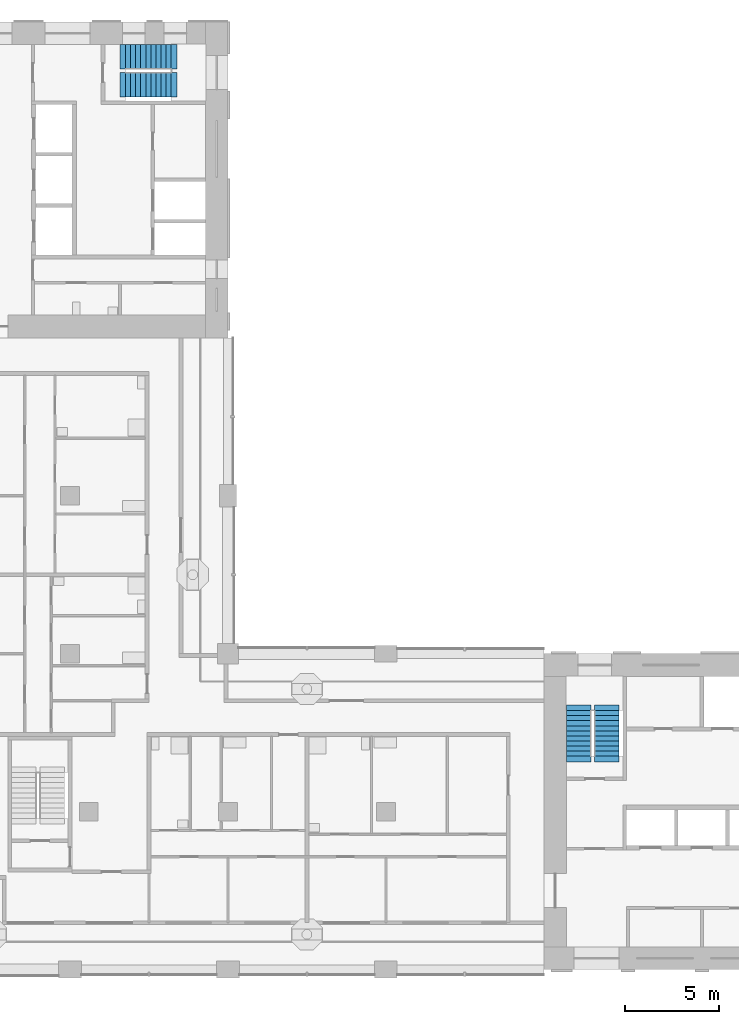
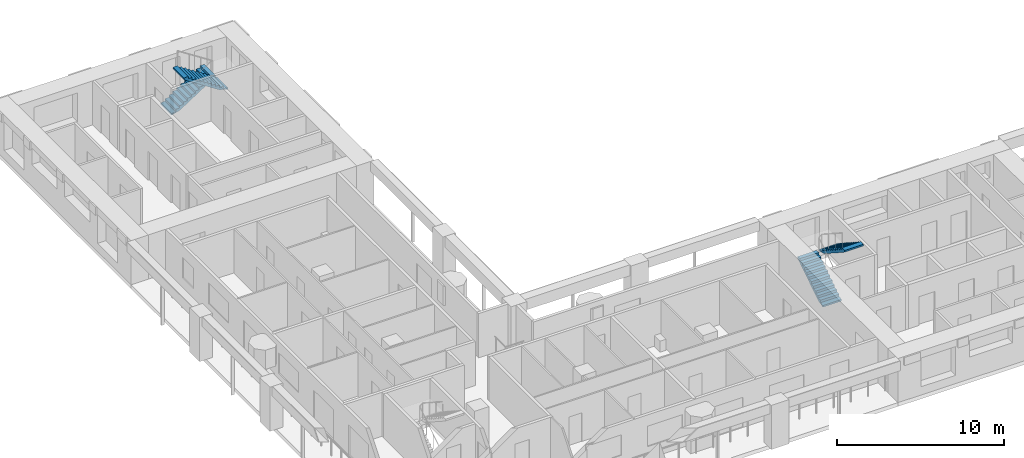
# One storey, part 7 of 13: 4 stair flights, 2 elements without a shape of their own.
"""IFC4 building model written with IfcOpenShell, lengths in metres."""

from ifc_helpers import new_model, si_unit, direction, frame, origin, place, context, subcontext, project, spatial, polyline, outline, extrude, material, type_object, element, aggregate, save


model = new_model("IFC4")

# Units and contexts
model_context = context("Model", 3, precision=1e-05, world=origin(), true_north=direction((0.0, 1.0)))
body_context = subcontext(model_context, "Body", "Model", "MODEL_VIEW")
ifc_project = project(units=[si_unit("LENGTHUNIT", "METRE"), si_unit("AREAUNIT", "SQUARE_METRE"), si_unit("VOLUMEUNIT", "CUBIC_METRE"), si_unit("PLANEANGLEUNIT", "RADIAN"), si_unit("MASSUNIT", "GRAM", prefix="KILO")], contexts=[model_context])

# Site, building, storey
site_placement = place(None, origin())
site = spatial("IfcSite", under=ifc_project, at=site_placement, CompositionType="ELEMENT")
building_placement = place(site_placement, origin())
building = spatial("IfcBuilding", under=site, at=building_placement, Name="Vermilion Gate Residences", CompositionType="ELEMENT")
storey_placement = place(building_placement, frame((0.0, 0.0, 179.199951171875)))
storey = spatial("IfcBuildingStorey", under=building, at=storey_placement, Name="L46", CompositionType="ELEMENT", Elevation=179.199951171875)

# Stair, stair flights
ifc_material_1 = material(Name="Concrete C50", Category="concrete")
stair_type = type_object("IfcStairType", Name="SPECIAL ESCAPE STAIR 1300", PredefinedType="HALF_TURN_STAIR", material=ifc_material_1)
stair_1_placement = place(storey_placement, origin())
stair_1 = element("IfcStair", 1, at=stair_1_placement, inside=storey, type_object=stair_type, Name="Special escape stair STA1-46", PredefinedType="HALF_TURN_STAIR")
ifc_material_2 = material(Name="Concrete C50", Category="concrete")
stair_flight_type = type_object("IfcStairFlightType", Name="STAIR FLIGHT 1300 RC C50", PredefinedType="STRAIGHT", material=ifc_material_2)
stair_flight_1_placement = place(storey_placement, frame((43.85009765625, 19.75, 0.0), z_axis=(0.0, 0.0, 1.0), x_axis=(0.0, 1.0, 0.0)))
stair_flight_1 = element("IfcStairFlight", 2, at=stair_flight_1_placement, type_object=stair_flight_type, Name="STA1-46 flight 1", NumberOfRisers=10, NumberOfTreads=9, PredefinedType="STRAIGHT", RiserHeight=0.175, TreadLength=0.27, context=body_context, shape_type="SweptSolid", body=[
    extrude(outline(polyline([(-0.300048828125, -0.14990234375), (-0.300048828125, -0.030029296875), (0.0, 0.0), (0.0, 0.175048828125), (0.27001953125, 0.175048828125), (0.27001953125, 0.35009765625), (0.5400390625, 0.35009765625), (0.5400390625, 0.52490234375), (0.81005859375, 0.52490234375), (0.81005859375, 0.699951171875), (1.080078125, 0.699951171875), (1.080078125, 0.875), (1.35009765625, 0.875), (1.35009765625, 1.050048828125), (1.6201171875, 1.050048828125), (1.6201171875, 1.22509765625), (1.889892578125, 1.22509765625), (1.889892578125, 1.39990234375), (2.159912109375, 1.39990234375), (2.159912109375, 1.574951171875), (2.429931640625, 1.574951171875), (2.429931640625, 1.75), (2.72998046875, 1.719970703125), (2.72998046875, 1.60009765625), (2.429931640625, 1.396484375), (0.275634765625, 0.0), (-0.300048828125, -0.14990234375)])), frame((0.0, 0.64990234375, 0.0), z_axis=(0.0, -1.0, 0.0), x_axis=(1.0, 0.0, 0.0)), (0.0, 0.0, 1.0), 1.300048828125),
])
stair_flight_2_placement = place(storey_placement, frame((45.35009765625, 22.179931640625, 1.75), z_axis=(0.0, 0.0, 1.0), x_axis=(0.0, -1.0, 0.0)))
stair_flight_2 = element("IfcStairFlight", 3, at=stair_flight_2_placement, type_object=stair_flight_type, Name="STA1-46 flight 2", NumberOfRisers=10, NumberOfTreads=9, PredefinedType="STRAIGHT", RiserHeight=0.175, TreadLength=0.27, context=body_context, shape_type="SweptSolid", body=[
    extrude(outline(polyline([(-0.300048828125, -0.14990234375), (-0.300048828125, -0.030029296875), (0.0, 0.0), (0.0, 0.175048828125), (0.27001953125, 0.175048828125), (0.27001953125, 0.35009765625), (0.5400390625, 0.35009765625), (0.5400390625, 0.52490234375), (0.81005859375, 0.52490234375), (0.81005859375, 0.699951171875), (1.080078125, 0.699951171875), (1.080078125, 0.875), (1.35009765625, 0.875), (1.35009765625, 1.050048828125), (1.6201171875, 1.050048828125), (1.6201171875, 1.22509765625), (1.889892578125, 1.22509765625), (1.889892578125, 1.39990234375), (2.159912109375, 1.39990234375), (2.159912109375, 1.574951171875), (2.429931640625, 1.574951171875), (2.429931640625, 1.75), (2.72998046875, 1.719970703125), (2.72998046875, 1.60009765625), (2.429931640625, 1.396484375), (0.275634765625, 0.0), (-0.300048828125, -0.14990234375)])), frame((0.0, 0.64990234375, 0.0), z_axis=(0.0, -1.0, 0.0), x_axis=(1.0, 0.0, 0.0)), (0.0, 0.0, 1.0), 1.300048828125),
])
aggregate(stair_1, [stair_flight_1, stair_flight_2])

stair_2_placement = place(storey_placement, origin())
stair_2 = element("IfcStair", 4, at=stair_2_placement, inside=storey, type_object=stair_type, Name="Special escape stair STB1-46", PredefinedType="HALF_TURN_STAIR")
stair_flight_3_placement = place(storey_placement, frame((19.75, 56.949951171875, 0.0), z_axis=(0.0, 0.0, 1.0), x_axis=(1.0, 0.0, 0.0)))
stair_flight_3 = element("IfcStairFlight", 5, at=stair_flight_3_placement, type_object=stair_flight_type, Name="STB1-46 flight 1", NumberOfRisers=10, NumberOfTreads=9, PredefinedType="STRAIGHT", RiserHeight=0.175, TreadLength=0.27, context=body_context, shape_type="SweptSolid", body=[
    extrude(outline(polyline([(-0.300048828125, -0.14990234375), (-0.300048828125, -0.030029296875), (0.0, 0.0), (0.0, 0.175048828125), (0.27001953125, 0.175048828125), (0.27001953125, 0.35009765625), (0.5400390625, 0.35009765625), (0.5400390625, 0.52490234375), (0.81005859375, 0.52490234375), (0.81005859375, 0.699951171875), (1.080078125, 0.699951171875), (1.080078125, 0.875), (1.35009765625, 0.875), (1.35009765625, 1.050048828125), (1.6201171875, 1.050048828125), (1.6201171875, 1.22509765625), (1.889892578125, 1.22509765625), (1.889892578125, 1.39990234375), (2.159912109375, 1.39990234375), (2.159912109375, 1.574951171875), (2.429931640625, 1.574951171875), (2.429931640625, 1.75), (2.72998046875, 1.719970703125), (2.72998046875, 1.60009765625), (2.429931640625, 1.396484375), (0.275634765625, 0.0), (-0.300048828125, -0.14990234375)])), frame((0.0, 0.64990234375, 0.0), z_axis=(0.0, -1.0, 0.0), x_axis=(1.0, 0.0, 0.0)), (0.0, 0.0, 1.0), 1.300048828125),
])
stair_flight_4_placement = place(storey_placement, frame((22.179931640625, 55.449951171875, 1.75), z_axis=(0.0, 0.0, 1.0), x_axis=(-1.0, 0.0, 0.0)))
stair_flight_4 = element("IfcStairFlight", 6, at=stair_flight_4_placement, type_object=stair_flight_type, Name="STB1-46 flight 2", NumberOfRisers=10, NumberOfTreads=9, PredefinedType="STRAIGHT", RiserHeight=0.175, TreadLength=0.27, context=body_context, shape_type="SweptSolid", body=[
    extrude(outline(polyline([(-0.300048828125, -0.14990234375), (-0.300048828125, -0.030029296875), (0.0, 0.0), (0.0, 0.175048828125), (0.27001953125, 0.175048828125), (0.27001953125, 0.35009765625), (0.5400390625, 0.35009765625), (0.5400390625, 0.52490234375), (0.81005859375, 0.52490234375), (0.81005859375, 0.699951171875), (1.080078125, 0.699951171875), (1.080078125, 0.875), (1.35009765625, 0.875), (1.35009765625, 1.050048828125), (1.6201171875, 1.050048828125), (1.6201171875, 1.22509765625), (1.889892578125, 1.22509765625), (1.889892578125, 1.39990234375), (2.159912109375, 1.39990234375), (2.159912109375, 1.574951171875), (2.429931640625, 1.574951171875), (2.429931640625, 1.75), (2.72998046875, 1.719970703125), (2.72998046875, 1.60009765625), (2.429931640625, 1.396484375), (0.275634765625, 0.0), (-0.300048828125, -0.14990234375)])), frame((0.0, 0.64990234375, 0.0), z_axis=(0.0, -1.0, 0.0), x_axis=(1.0, 0.0, 0.0)), (0.0, 0.0, 1.0), 1.300048828125),
])
aggregate(stair_2, [stair_flight_3, stair_flight_4])

save(model, "model.ifc")
